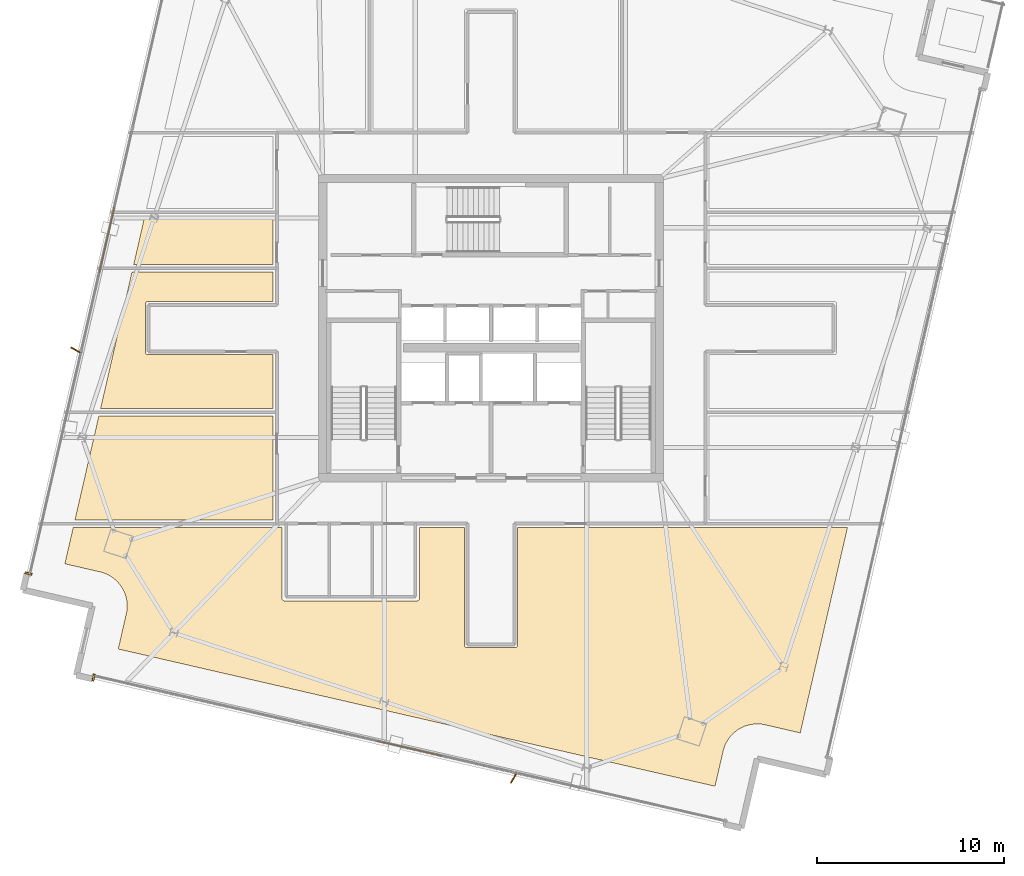
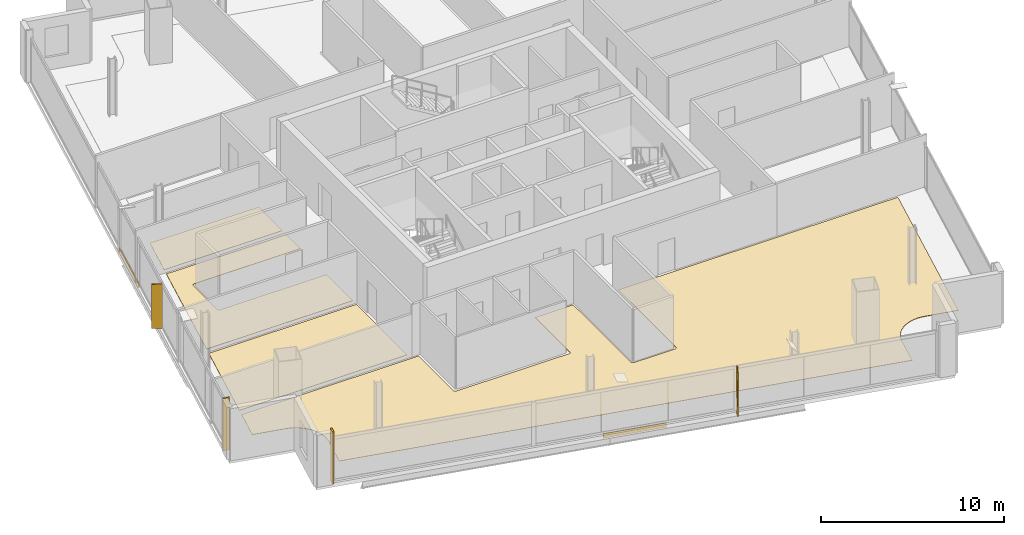
# One storey, part 24 of 28: 8 coverings, 2 shading devices.
"""IFC4 building model written with IfcOpenShell, lengths in metres."""

from ifc_helpers import new_model, si_unit, direction, frame, origin, origin_2d, place, context, subcontext, project, spatial, polyline, rectangle, outline, extrude, source, transform, mapped, material, layer, layer_set, type_object, element, save


model = new_model("IFC4")

# Units and contexts
model_context = context("Model", 3, precision=1e-05, world=origin(), true_north=direction((0.0, 1.0)))
body_context = subcontext(model_context, "Body", "Model", "MODEL_VIEW")
ifc_project = project(units=[si_unit("LENGTHUNIT", "METRE"), si_unit("AREAUNIT", "SQUARE_METRE"), si_unit("VOLUMEUNIT", "CUBIC_METRE"), si_unit("PLANEANGLEUNIT", "RADIAN"), si_unit("MASSUNIT", "GRAM", prefix="KILO")], contexts=[model_context])

# Site, building, storey
site_placement = place(None, origin())
site = spatial("IfcSite", under=ifc_project, at=site_placement, CompositionType="ELEMENT")
building_placement = place(site_placement, origin())
building = spatial("IfcBuilding", under=site, at=building_placement, Name="Haldenkirk Collegiate Tower", CompositionType="ELEMENT")
storey_placement = place(building_placement, frame((0.0, 0.0, 286.199951171875)))
storey = spatial("IfcBuildingStorey", under=building, at=storey_placement, Name="L72", CompositionType="ELEMENT", Elevation=286.199951171875)

# Coverings
ifc_material_1 = material(Name="Polished collegiate terrazzo", Category="concrete")
ifc_layer_1 = layer(ifc_material_1, 0.02490234375)
ifc_layer_set_1 = layer_set([ifc_layer_1], Name="Polished collegiate terrazzo")
covering_type_1 = type_object("IfcCoveringType", Name="COV-FLOOR-TERRAZZO", PredefinedType="FLOORING", material=ifc_layer_set_1)
covering_1_placement = place(storey_placement, origin())
element("IfcCovering", 1, at=covering_1_placement, inside=storey, type_object=covering_type_1, Name="L72 academic room finish 06", PredefinedType="FLOORING", context=body_context, shape_type="SweptSolid", body=[
    extrude(outline(polyline([(17.64990234375, 27.419921875), (17.63818359375, 27.41943359375), (17.626708984375, 27.417724609375), (17.615234375, 27.414794921875), (17.60400390625, 27.410888671875), (17.593505859375, 27.40576171875), (17.583251953125, 27.39990234375), (17.573974609375, 27.392822265625), (17.565185546875, 27.385009765625), (17.55712890625, 27.376220703125), (17.55029296875, 27.36669921875), (17.544189453125, 27.356689453125), (17.5390625, 27.345947265625), (17.53515625, 27.334716796875), (17.5322265625, 27.323486328125), (17.530517578125, 27.311767578125), (17.530029296875, 27.300048828125), (17.530029296875, 24.699951171875), (17.530517578125, 24.688232421875), (17.5322265625, 24.676513671875), (17.53515625, 24.665283203125), (17.5390625, 24.654052734375), (17.544189453125, 24.643310546875), (17.55029296875, 24.63330078125), (17.55712890625, 24.623779296875), (17.565185546875, 24.614990234375), (17.573974609375, 24.607177734375), (17.583251953125, 24.60009765625), (17.593505859375, 24.59423828125), (17.60400390625, 24.589111328125), (17.615234375, 24.585205078125), (17.626708984375, 24.582275390625), (17.63818359375, 24.58056640625), (17.64990234375, 24.580078125), (24.35009765625, 24.580078125), (24.35009765625, 21.699951171875), (15.12548828125, 21.699951171875), (16.803955078125, 29.0), (24.35009765625, 29.0), (24.35009765625, 27.419921875), (17.64990234375, 27.419921875)])), origin(), (0.0, 0.0, 1.0), 0.025146484375),
])
ifc_material_2 = material(Name="Engineered collegiate oak acoustic flooring", Category="wood")
ifc_layer_2 = layer(ifc_material_2, 0.02197265625)
ifc_layer_set_2 = layer_set([ifc_layer_2], Name="Engineered collegiate oak acoustic flooring")
covering_type_2 = type_object("IfcCoveringType", Name="COV-FLOOR-TIMBER", PredefinedType="FLOORING", material=ifc_layer_set_2)
covering_2_placement = place(storey_placement, origin())
element("IfcCovering", 2, at=covering_2_placement, inside=storey, type_object=covering_type_2, Name="L72 academic room finish 01", PredefinedType="FLOORING", context=body_context, shape_type="SweptSolid", body=[
    extrude(outline(polyline([(49.9228515625, 4.821044921875), (49.911376953125, 4.819091796875), (49.743408203125, 4.7822265625), (49.73193359375, 4.779296875), (49.568603515625, 4.72607421875), (49.557861328125, 4.721923828125), (49.400390625, 4.6533203125), (49.389892578125, 4.64794921875), (49.239990234375, 4.564208984375), (49.22998046875, 4.557861328125), (49.089111328125, 4.459716796875), (49.07958984375, 4.452392578125), (48.94921875, 4.341064453125), (48.9404296875, 4.3330078125), (48.821533203125, 4.208984375), (48.813720703125, 4.2001953125), (48.70751953125, 4.0654296875), (48.700439453125, 4.055908203125), (48.60791015625, 3.9111328125), (48.60205078125, 3.90087890625), (48.524169921875, 3.748046875), (48.519287109375, 3.7373046875), (48.456787109375, 3.577392578125), (48.452880859375, 3.566162109375), (48.40625, 3.40087890625), (48.40478515625, 3.395263671875), (47.97216796875, 1.51416015625), (16.06982421875, 8.85009765625), (16.502197265625, 10.731201171875), (16.50341796875, 10.73681640625), (16.53369140625, 10.906005859375), (16.53515625, 10.917724609375), (16.548583984375, 11.0888671875), (16.549072265625, 11.1005859375), (16.5458984375, 11.272216796875), (16.544921875, 11.2841796875), (16.52490234375, 11.45458984375), (16.522705078125, 11.466064453125), (16.486083984375, 11.6337890625), (16.48291015625, 11.6455078125), (16.429931640625, 11.808837890625), (16.42578125, 11.81982421875), (16.35693359375, 11.97705078125), (16.351806640625, 11.987548828125), (16.267822265625, 12.137451171875), (16.26171875, 12.1474609375), (16.163330078125, 12.288330078125), (16.15625, 12.297607421875), (16.044921875, 12.42822265625), (16.03662109375, 12.43701171875), (15.912841796875, 12.555908203125), (15.904052734375, 12.563720703125), (15.769287109375, 12.669921875), (15.759521484375, 12.677001953125), (15.614990234375, 12.76953125), (15.604736328125, 12.775390625), (15.45166015625, 12.853271484375), (15.44091796875, 12.858154296875), (15.281005859375, 12.9208984375), (15.27001953125, 12.924560546875), (15.1044921875, 12.97119140625), (15.098876953125, 12.97265625), (13.218017578125, 13.4052734375), (13.665283203125, 15.35009765625), (24.830078125, 15.35009765625), (24.830078125, 11.550048828125), (24.83056640625, 11.5380859375), (24.832275390625, 11.526611328125), (24.835205078125, 11.51513671875), (24.839111328125, 11.504150390625), (24.84423828125, 11.493408203125), (24.85009765625, 11.4833984375), (24.857177734375, 11.473876953125), (24.864990234375, 11.465087890625), (24.873779296875, 11.457275390625), (24.88330078125, 11.4501953125), (24.893310546875, 11.444091796875), (24.904052734375, 11.439208984375), (24.915283203125, 11.435302734375), (24.926513671875, 11.432373046875), (24.938232421875, 11.4306640625), (24.949951171875, 11.429931640625), (32.050048828125, 11.429931640625), (32.061767578125, 11.4306640625), (32.073486328125, 11.432373046875), (32.084716796875, 11.435302734375), (32.095947265625, 11.439208984375), (32.106689453125, 11.444091796875), (32.11669921875, 11.4501953125), (32.126220703125, 11.457275390625), (32.135009765625, 11.465087890625), (32.142822265625, 11.473876953125), (32.14990234375, 11.4833984375), (32.15576171875, 11.493408203125), (32.160888671875, 11.504150390625), (32.164794921875, 11.51513671875), (32.167724609375, 11.526611328125), (32.16943359375, 11.5380859375), (32.169921875, 11.550048828125), (32.169921875, 15.35009765625), (34.580078125, 15.35009765625), (34.580078125, 9.050048828125), (34.58056640625, 9.0380859375), (34.582275390625, 9.026611328125), (34.585205078125, 9.01513671875), (34.589111328125, 9.004150390625), (34.59423828125, 8.993408203125), (34.60009765625, 8.9833984375), (34.607177734375, 8.973876953125), (34.614990234375, 8.965087890625), (34.623779296875, 8.957275390625), (34.63330078125, 8.9501953125), (34.643310546875, 8.944091796875), (34.654052734375, 8.939208984375), (34.665283203125, 8.935302734375), (34.676513671875, 8.932373046875), (34.688232421875, 8.9306640625), (34.699951171875, 8.929931640625), (37.300048828125, 8.929931640625), (37.311767578125, 8.9306640625), (37.323486328125, 8.932373046875), (37.334716796875, 8.935302734375), (37.345947265625, 8.939208984375), (37.356689453125, 8.944091796875), (37.36669921875, 8.9501953125), (37.376220703125, 8.957275390625), (37.385009765625, 8.965087890625), (37.392822265625, 8.973876953125), (37.39990234375, 8.9833984375), (37.40576171875, 8.993408203125), (37.410888671875, 9.004150390625), (37.414794921875, 9.01513671875), (37.417724609375, 9.026611328125), (37.41943359375, 9.0380859375), (37.419921875, 9.050048828125), (37.419921875, 15.35009765625), (55.052978515625, 15.35009765625), (52.527099609375, 4.365966796875), (50.646240234375, 4.798583984375), (50.640380859375, 4.7998046875), (50.471435546875, 4.829833984375), (50.459716796875, 4.831298828125), (50.28857421875, 4.844970703125), (50.27685546875, 4.84521484375), (50.10498046875, 4.842041015625), (50.09326171875, 4.84130859375), (49.9228515625, 4.821044921875)])), origin(), (0.0, 0.0, 1.0), 0.02197265625),
])
covering_3_placement = place(storey_placement, origin())
element("IfcCovering", 3, at=covering_3_placement, inside=storey, type_object=covering_type_2, Name="L72 academic room finish 05", PredefinedType="FLOORING", context=body_context, shape_type="SweptSolid", body=[
    extrude(outline(polyline([(15.033447265625, 21.300048828125), (24.35009765625, 21.300048828125), (24.35009765625, 15.75), (13.757080078125, 15.75), (15.033447265625, 21.300048828125)])), origin(), (0.0, 0.0, 1.0), 0.02197265625),
])
covering_4_placement = place(storey_placement, origin())
element("IfcCovering", 4, at=covering_4_placement, inside=storey, type_object=covering_type_2, Name="L72 academic room finish 07", PredefinedType="FLOORING", context=body_context, shape_type="SweptSolid", body=[
    extrude(outline(polyline([(17.493896484375, 32.0), (24.35009765625, 32.0), (24.35009765625, 29.39990234375), (16.89599609375, 29.39990234375), (17.493896484375, 32.0)])), origin(), (0.0, 0.0, 1.0), 0.02197265625),
])
ifc_material_3 = material(Name="Anodised architectural bronze aluminium", Category="aluminium")
ifc_layer_3 = layer(ifc_material_3, 0.06005859375)
ifc_layer_set_3 = layer_set([ifc_layer_3], Name="Anodised architectural bronze aluminium")
covering_type_3 = type_object("IfcCoveringType", Name="COV-CLAD-BRONZE-60", PredefinedType="CLADDING", material=ifc_layer_set_3)
shared_shape_1 = source(origin(), body_context, "Body", "SweptSolid", [
    extrude(rectangle(XDim=3.60009765625, YDim=0.06005859375, at=origin_2d()), origin(), (0.0, 0.0, 1.0), 0.300048828125),
])
for number, where, z_axis, x_axis, name in (
    (5, (15.4658203125, 30.7216796875, -0.2998046875), (0.0, 0.0, 1.0), (0.224100670509, 0.974566000575, 0.0), "L72 architectural bronze spandrel cladding N"),
    (6, (31.642333984375, 3.53515625, -0.2998046875), (0.0, 0.0, 1.0), (-0.974566000575, 0.224100670509, 0.0), "L72 architectural bronze spandrel cladding W"),
):
    element("IfcCovering", number, at=place(storey_placement, frame(where, z_axis=z_axis, x_axis=x_axis)), inside=storey, type_object=covering_type_3, Name=name, PredefinedType="CLADDING", context=body_context, shape_type="MappedRepresentation", body=[
        mapped(shared_shape_1, transform((0.0, 0.0, 0.0), x_axis=(1.0, 0.0, 0.0), y_axis=(0.0, 1.0, 0.0), z_axis=(0.0, 0.0, 1.0), scale=1.0)),
    ])
shared_shape_2 = source(origin(), body_context, "Body", "SweptSolid", [
    extrude(rectangle(XDim=0.10009765625, YDim=0.3798828125, at=origin_2d()), origin(), (0.0, 0.0, 1.0), 3.47998046875),
])
for number, where, z_axis, x_axis, name in (
    (7, (11.272705078125, 12.887939453125, 0.0), (0.0, 0.0, 1.0), (0.224100670509, 0.974566000575, 0.0), "L72 recessed curtain-wall bronze jamb closure NJL"),
    (8, (14.7548828125, 7.326171875, 0.0), (0.0, 0.0, 1.0), (-0.974566000575, 0.224100670509, 0.0), "L72 recessed curtain-wall bronze jamb closure WJR"),
):
    element("IfcCovering", number, at=place(storey_placement, frame(where, z_axis=z_axis, x_axis=x_axis)), inside=storey, type_object=covering_type_3, Name=name, PredefinedType="CLADDING", context=body_context, shape_type="MappedRepresentation", body=[
        mapped(shared_shape_2, transform((0.0, 0.0, 0.0), x_axis=(1.0, 0.0, 0.0), y_axis=(0.0, 1.0, 0.0), z_axis=(0.0, 0.0, 1.0), scale=1.0)),
    ])

# Shading devices
ifc_layer_4 = layer(ifc_material_3, 0.06494140625)
ifc_layer_set_4 = layer_set([ifc_layer_4], Name="Anodised architectural bronze aluminium")
shading_device_type = type_object("IfcShadingDeviceType", Name="SHD-FIN-BRONZE-620", PredefinedType="USERDEFINED", material=ifc_layer_set_4)
shared_shape_3 = source(origin(), body_context, "Body", "SweptSolid", [
    extrude(rectangle(XDim=0.6201171875, YDim=0.06494140625, at=origin_2d()), origin(), (0.0, 0.0, 1.0), 2.93798828125),
])
for number, where, z_axis, x_axis, name in (
    (9, (13.8076171875, 24.826904296875, 0.0), (0.0, 0.0, 1.0), (-0.875042450261, 0.484046186062, 0.0), "L72 folded bronze solar fin 1"),
    (10, (37.208251953125, 1.952392578125, 0.0), (0.0, 0.0, 1.0), (-0.484046186062, -0.875042450261, 0.0), "L72 folded bronze solar fin 1"),
):
    element("IfcShadingDevice", number, at=place(storey_placement, frame(where, z_axis=z_axis, x_axis=x_axis)), inside=storey, type_object=shading_device_type, Name=name, ObjectType="FIN", PredefinedType="USERDEFINED", context=body_context, shape_type="MappedRepresentation", body=[
        mapped(shared_shape_3, transform((0.0, 0.0, 0.0), x_axis=(1.0, 0.0, 0.0), y_axis=(0.0, 1.0, 0.0), z_axis=(0.0, 0.0, 1.0), scale=1.0)),
    ])

save(model, "model.ifc")
